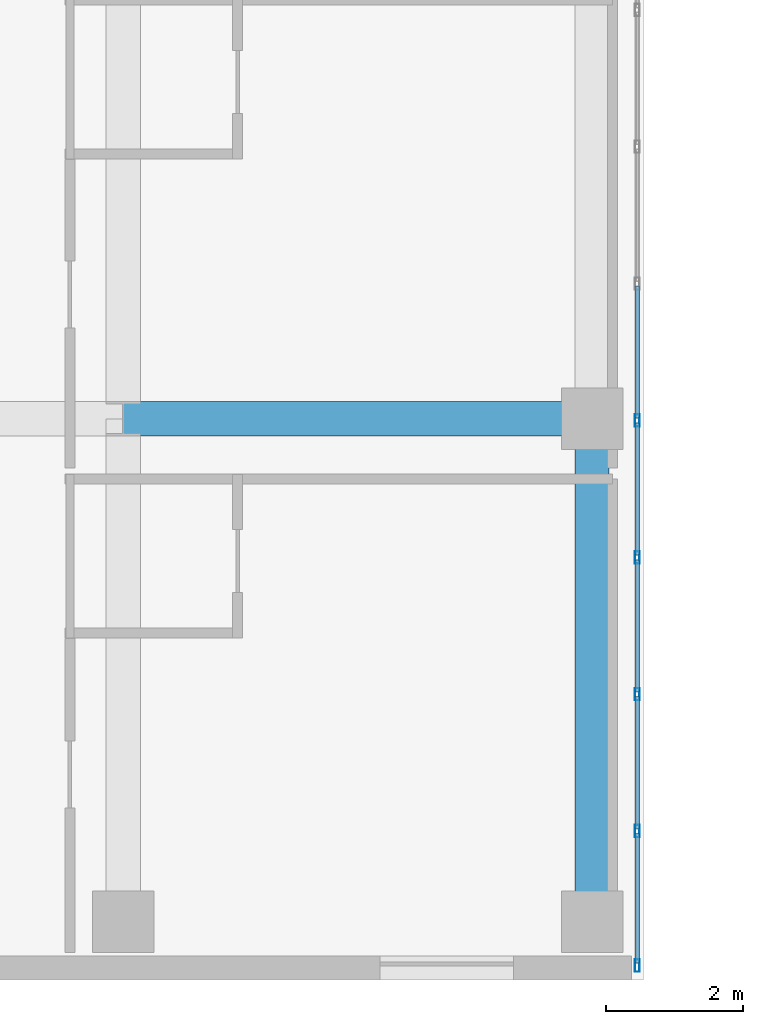
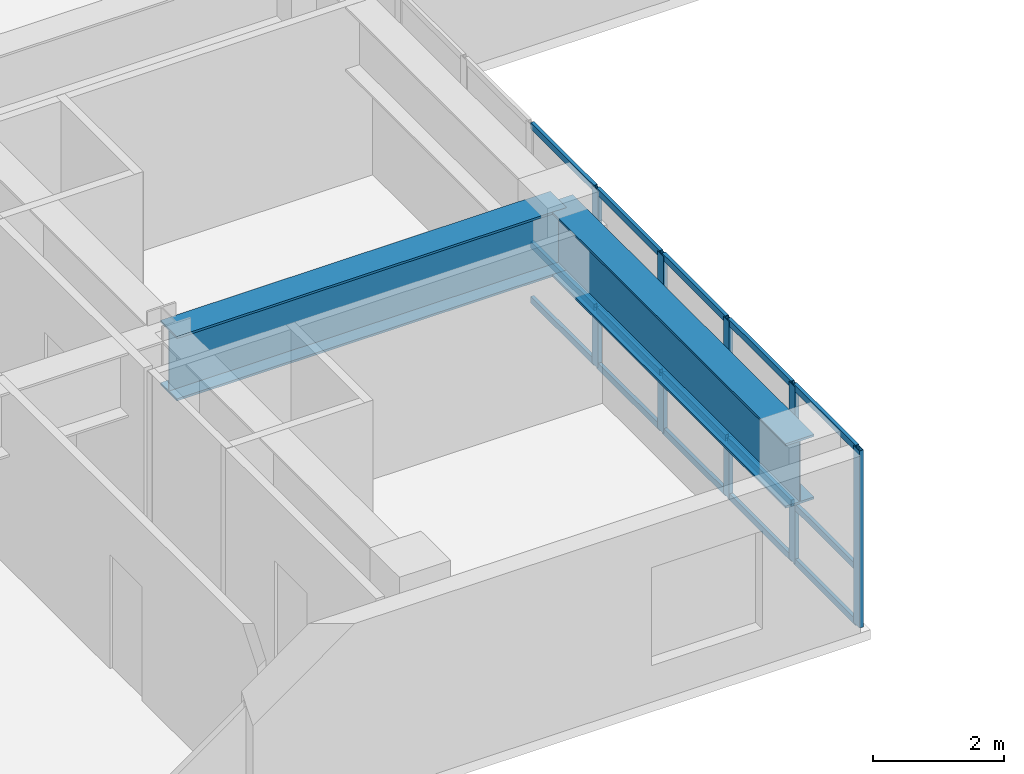
# One storey, part 2 of 15: 20 members, 2 beams, 1 element without a shape of its own.
"""IFC4 building model written with IfcOpenShell, lengths in metres."""

from ifc_helpers import new_model, si_unit, direction, frame, origin, origin_2d, place, context, subcontext, project, spatial, hollow_rectangle, i_section, extrude, source, transform, mapped, material, layer, layer_set, material_profile, profile_set, type_object, type_shapes, element, aggregate, save


model = new_model("IFC4")

# Units and contexts
model_context = context("Model", 3, precision=1e-05, world=origin(), true_north=direction((0.0, 1.0)))
body_context = subcontext(model_context, "Body", "Model", "MODEL_VIEW")
ifc_project = project(units=[si_unit("LENGTHUNIT", "METRE"), si_unit("AREAUNIT", "SQUARE_METRE"), si_unit("VOLUMEUNIT", "CUBIC_METRE"), si_unit("PLANEANGLEUNIT", "RADIAN"), si_unit("MASSUNIT", "GRAM", prefix="KILO")], contexts=[model_context])

# Site, building, storey
site_placement = place(None, origin())
site = spatial("IfcSite", under=ifc_project, at=site_placement, CompositionType="ELEMENT")
building_placement = place(site_placement, origin())
building = spatial("IfcBuilding", under=site, at=building_placement, Name="Tolvann Quenvar Hotel", CompositionType="ELEMENT")
storey_placement = place(building_placement, frame((0.0, 0.0, 143.5)))
storey = spatial("IfcBuildingStorey", under=building, at=storey_placement, Name="L37", CompositionType="ELEMENT", Elevation=143.5)

# Beams
ifc_material_1 = material(Name="Steel Grade 350", Category="steel")
ifc_material_profile_1 = material_profile(ifc_material_1, i_section(OverallWidth=0.5, OverallDepth=1.199951171875, WebThickness=0.01611328125, FlangeThickness=0.0400390625, at=origin_2d()), Name="1200WB455")
ifc_profile_set_1 = profile_set([ifc_material_profile_1], Name="Steel Grade 350")
beam_type = type_object("IfcBeamType", Name="BM_TG_1200WB455", PredefinedType="USERDEFINED", material=ifc_profile_set_1)
shared_shape_1 = source(origin(), body_context, "Body", "SweptSolid", [
    extrude(i_section(OverallWidth=0.5, OverallDepth=1.199951171875, WebThickness=0.01611328125, FlangeThickness=0.0400390625, at=origin_2d()), origin(), (0.0, 0.0, 1.0), 7.349853515625),
])
beam_1_placement = place(storey_placement, frame((22.050048828125, 0.85009765625, 2.68994140625), z_axis=(0.0, 1.0, 0.0), x_axis=(-1.0, 0.0, 0.0)))
element("IfcBeam", 1, at=beam_1_placement, inside=storey, type_object=beam_type, Name="Setback Transfer Girder L37-E2", ObjectType="TRANSFER GIRDER", PredefinedType="USERDEFINED", context=body_context, shape_type="MappedRepresentation", body=[
    mapped(shared_shape_1, transform((0.0, 0.0, 0.0), x_axis=(1.0, 0.0, 0.0), y_axis=(0.0, 1.0, 0.0), z_axis=(0.0, 0.0, 1.0), scale=1.0)),
])
shared_shape_2 = source(origin(), body_context, "Body", "SweptSolid", [
    extrude(i_section(OverallWidth=0.5, OverallDepth=1.199951171875, WebThickness=0.01611328125, FlangeThickness=0.0400390625, at=origin_2d()), origin(), (0.0, 0.0, 1.0), 6.85009765625),
])
type_shapes(beam_type, [shared_shape_1, shared_shape_2])
beam_2_placement = place(storey_placement, frame((15.199951171875, 8.199951171875, 2.68994140625), z_axis=(1.0, 0.0, 0.0), x_axis=(0.0, 1.0, 0.0)))
element("IfcBeam", 2, at=beam_2_placement, inside=storey, type_object=beam_type, Name="BM-L37-EW-3-D3-E3", ObjectType="TRANSFER GIRDER", PredefinedType="USERDEFINED", context=body_context, shape_type="MappedRepresentation", body=[
    mapped(shared_shape_2, transform((0.0, 0.0, 0.0), x_axis=(1.0, 0.0, 0.0), y_axis=(0.0, 1.0, 0.0), z_axis=(0.0, 0.0, 1.0), scale=1.0)),
])

# Curtain wall, members
ifc_material_2 = material(Name="Thermally broken anodised architectural aluminium 6063-T6 and laminated low-E glass", Category="aluminium")
ifc_layer = layer(ifc_material_2, 0.179931640625)
ifc_layer_set = layer_set([ifc_layer], Name="Thermally broken anodised architectural aluminium 6063-T6 and laminated low-E glass")
curtain_wall_type = type_object("IfcCurtainWallType", Name="CW_SYS_SLOT_03", PredefinedType="USERDEFINED", material=ifc_layer_set)
curtain_wall_placement = place(storey_placement, origin())
curtain_wall = element("IfcCurtainWall", 3, at=curtain_wall_placement, inside=storey, type_object=curtain_wall_type, Name="Curtain Wall CW-SLOT-03 (CWR-L37-E05)", ObjectType="UNITISED CURTAIN WALL", PredefinedType="USERDEFINED")
ifc_material_3 = material(Name="Anodised architectural aluminium 6063-T6 framing", Category="aluminium")
ifc_material_profile_2 = material_profile(ifc_material_3, hollow_rectangle(XDim=0.06005859375, YDim=0.1201171875, WallThickness=0.00341796875, at=origin_2d()), Name="120x60x3.5RHS")
ifc_profile_set_2 = profile_set([ifc_material_profile_2], Name="Anodised architectural aluminium 6063-T6 framing")
member_type_1 = type_object("IfcMemberType", Name="CW_TRAN_120x60", PredefinedType="USERDEFINED", material=ifc_profile_set_2)
shared_shape_3 = source(origin(), body_context, "Body", "SweptSolid", [
    extrude(hollow_rectangle(XDim=0.06005859375, YDim=0.1201171875, WallThickness=0.00341796875, at=origin_2d()), origin(), (0.0, 0.0, 1.0), 1.894775390625),
])
member_1_placement = place(storey_placement, frame((22.7099609375, 0.2451171875, 0.030029296875), z_axis=(0.0, 1.0, 0.0), x_axis=(-1.0, 0.0, 0.0)))
member_1 = element("IfcMember", 4, at=member_1_placement, type_object=member_type_1, Name="CW-SLOT-03 transom 1.1", ObjectType="TRANSOM", PredefinedType="USERDEFINED", context=body_context, shape_type="MappedRepresentation", body=[
    mapped(shared_shape_3, transform((0.0, 0.0, 0.0), x_axis=(1.0, 0.0, 0.0), y_axis=(0.0, 1.0, 0.0), z_axis=(0.0, 0.0, 1.0), scale=1.0)),
])
member_2_placement = place(storey_placement, frame((22.7099609375, 0.2451171875, 1.050048828125), z_axis=(0.0, 1.0, 0.0), x_axis=(-1.0, 0.0, 0.0)))
member_2 = element("IfcMember", 5, at=member_2_placement, type_object=member_type_1, Name="CW-SLOT-03 transom 1.2", ObjectType="TRANSOM", PredefinedType="USERDEFINED", context=body_context, shape_type="MappedRepresentation", body=[
    mapped(shared_shape_3, transform((0.0, 0.0, 0.0), x_axis=(1.0, 0.0, 0.0), y_axis=(0.0, 1.0, 0.0), z_axis=(0.0, 0.0, 1.0), scale=1.0)),
])
member_3_placement = place(storey_placement, frame((22.7099609375, 0.2451171875, 3.260009765625), z_axis=(0.0, 1.0, 0.0), x_axis=(-1.0, 0.0, 0.0)))
member_3 = element("IfcMember", 6, at=member_3_placement, type_object=member_type_1, Name="CW-SLOT-03 transom 1.3", ObjectType="TRANSOM", PredefinedType="USERDEFINED", context=body_context, shape_type="MappedRepresentation", body=[
    mapped(shared_shape_3, transform((0.0, 0.0, 0.0), x_axis=(1.0, 0.0, 0.0), y_axis=(0.0, 1.0, 0.0), z_axis=(0.0, 0.0, 1.0), scale=1.0)),
])
shared_shape_4 = source(origin(), body_context, "Body", "SweptSolid", [
    extrude(hollow_rectangle(XDim=0.06005859375, YDim=0.1201171875, WallThickness=0.00341796875, at=origin_2d()), origin(), (0.0, 0.0, 1.0), 1.929931640625),
])
type_shapes(member_type_1, [shared_shape_3, shared_shape_4])
member_4_placement = place(storey_placement, frame((22.7099609375, 2.2099609375, 0.030029296875), z_axis=(0.0, 1.0, 0.0), x_axis=(-1.0, 0.0, 0.0)))
member_4 = element("IfcMember", 7, at=member_4_placement, type_object=member_type_1, Name="CW-SLOT-03 transom 2.1", ObjectType="TRANSOM", PredefinedType="USERDEFINED", context=body_context, shape_type="MappedRepresentation", body=[
    mapped(shared_shape_4, transform((0.0, 0.0, 0.0), x_axis=(1.0, 0.0, 0.0), y_axis=(0.0, 1.0, 0.0), z_axis=(0.0, 0.0, 1.0), scale=1.0)),
])
member_5_placement = place(storey_placement, frame((22.7099609375, 2.2099609375, 1.050048828125), z_axis=(0.0, 1.0, 0.0), x_axis=(-1.0, 0.0, 0.0)))
member_5 = element("IfcMember", 8, at=member_5_placement, type_object=member_type_1, Name="CW-SLOT-03 transom 2.2", ObjectType="TRANSOM", PredefinedType="USERDEFINED", context=body_context, shape_type="MappedRepresentation", body=[
    mapped(shared_shape_4, transform((0.0, 0.0, 0.0), x_axis=(1.0, 0.0, 0.0), y_axis=(0.0, 1.0, 0.0), z_axis=(0.0, 0.0, 1.0), scale=1.0)),
])
member_6_placement = place(storey_placement, frame((22.7099609375, 2.2099609375, 3.260009765625), z_axis=(0.0, 1.0, 0.0), x_axis=(-1.0, 0.0, 0.0)))
member_6 = element("IfcMember", 9, at=member_6_placement, type_object=member_type_1, Name="CW-SLOT-03 transom 2.3", ObjectType="TRANSOM", PredefinedType="USERDEFINED", context=body_context, shape_type="MappedRepresentation", body=[
    mapped(shared_shape_4, transform((0.0, 0.0, 0.0), x_axis=(1.0, 0.0, 0.0), y_axis=(0.0, 1.0, 0.0), z_axis=(0.0, 0.0, 1.0), scale=1.0)),
])
member_7_placement = place(storey_placement, frame((22.7099609375, 4.2099609375, 0.030029296875), z_axis=(0.0, 1.0, 0.0), x_axis=(-1.0, 0.0, 0.0)))
member_7 = element("IfcMember", 10, at=member_7_placement, type_object=member_type_1, Name="CW-SLOT-03 transom 3.1", ObjectType="TRANSOM", PredefinedType="USERDEFINED", context=body_context, shape_type="MappedRepresentation", body=[
    mapped(shared_shape_4, transform((0.0, 0.0, 0.0), x_axis=(1.0, 0.0, 0.0), y_axis=(0.0, 1.0, 0.0), z_axis=(0.0, 0.0, 1.0), scale=1.0)),
])
member_8_placement = place(storey_placement, frame((22.7099609375, 4.2099609375, 1.050048828125), z_axis=(0.0, 1.0, 0.0), x_axis=(-1.0, 0.0, 0.0)))
member_8 = element("IfcMember", 11, at=member_8_placement, type_object=member_type_1, Name="CW-SLOT-03 transom 3.2", ObjectType="TRANSOM", PredefinedType="USERDEFINED", context=body_context, shape_type="MappedRepresentation", body=[
    mapped(shared_shape_4, transform((0.0, 0.0, 0.0), x_axis=(1.0, 0.0, 0.0), y_axis=(0.0, 1.0, 0.0), z_axis=(0.0, 0.0, 1.0), scale=1.0)),
])
member_9_placement = place(storey_placement, frame((22.7099609375, 4.2099609375, 3.260009765625), z_axis=(0.0, 1.0, 0.0), x_axis=(-1.0, 0.0, 0.0)))
member_9 = element("IfcMember", 12, at=member_9_placement, type_object=member_type_1, Name="CW-SLOT-03 transom 3.3", ObjectType="TRANSOM", PredefinedType="USERDEFINED", context=body_context, shape_type="MappedRepresentation", body=[
    mapped(shared_shape_4, transform((0.0, 0.0, 0.0), x_axis=(1.0, 0.0, 0.0), y_axis=(0.0, 1.0, 0.0), z_axis=(0.0, 0.0, 1.0), scale=1.0)),
])
member_10_placement = place(storey_placement, frame((22.7099609375, 6.2099609375, 0.030029296875), z_axis=(0.0, 1.0, 0.0), x_axis=(-1.0, 0.0, 0.0)))
member_10 = element("IfcMember", 13, at=member_10_placement, type_object=member_type_1, Name="CW-SLOT-03 transom 4.1", ObjectType="TRANSOM", PredefinedType="USERDEFINED", context=body_context, shape_type="MappedRepresentation", body=[
    mapped(shared_shape_4, transform((0.0, 0.0, 0.0), x_axis=(1.0, 0.0, 0.0), y_axis=(0.0, 1.0, 0.0), z_axis=(0.0, 0.0, 1.0), scale=1.0)),
])
member_11_placement = place(storey_placement, frame((22.7099609375, 6.2099609375, 1.050048828125), z_axis=(0.0, 1.0, 0.0), x_axis=(-1.0, 0.0, 0.0)))
member_11 = element("IfcMember", 14, at=member_11_placement, type_object=member_type_1, Name="CW-SLOT-03 transom 4.2", ObjectType="TRANSOM", PredefinedType="USERDEFINED", context=body_context, shape_type="MappedRepresentation", body=[
    mapped(shared_shape_4, transform((0.0, 0.0, 0.0), x_axis=(1.0, 0.0, 0.0), y_axis=(0.0, 1.0, 0.0), z_axis=(0.0, 0.0, 1.0), scale=1.0)),
])
member_12_placement = place(storey_placement, frame((22.7099609375, 6.2099609375, 3.260009765625), z_axis=(0.0, 1.0, 0.0), x_axis=(-1.0, 0.0, 0.0)))
member_12 = element("IfcMember", 15, at=member_12_placement, type_object=member_type_1, Name="CW-SLOT-03 transom 4.3", ObjectType="TRANSOM", PredefinedType="USERDEFINED", context=body_context, shape_type="MappedRepresentation", body=[
    mapped(shared_shape_4, transform((0.0, 0.0, 0.0), x_axis=(1.0, 0.0, 0.0), y_axis=(0.0, 1.0, 0.0), z_axis=(0.0, 0.0, 1.0), scale=1.0)),
])
member_13_placement = place(storey_placement, frame((22.7099609375, 8.2099609375, 0.030029296875), z_axis=(0.0, 1.0, 0.0), x_axis=(-1.0, 0.0, 0.0)))
member_13 = element("IfcMember", 16, at=member_13_placement, type_object=member_type_1, Name="CW-SLOT-03 transom 5.1", ObjectType="TRANSOM", PredefinedType="USERDEFINED", context=body_context, shape_type="MappedRepresentation", body=[
    mapped(shared_shape_4, transform((0.0, 0.0, 0.0), x_axis=(1.0, 0.0, 0.0), y_axis=(0.0, 1.0, 0.0), z_axis=(0.0, 0.0, 1.0), scale=1.0)),
])
member_14_placement = place(storey_placement, frame((22.7099609375, 8.2099609375, 1.050048828125), z_axis=(0.0, 1.0, 0.0), x_axis=(-1.0, 0.0, 0.0)))
member_14 = element("IfcMember", 17, at=member_14_placement, type_object=member_type_1, Name="CW-SLOT-03 transom 5.2", ObjectType="TRANSOM", PredefinedType="USERDEFINED", context=body_context, shape_type="MappedRepresentation", body=[
    mapped(shared_shape_4, transform((0.0, 0.0, 0.0), x_axis=(1.0, 0.0, 0.0), y_axis=(0.0, 1.0, 0.0), z_axis=(0.0, 0.0, 1.0), scale=1.0)),
])
member_15_placement = place(storey_placement, frame((22.7099609375, 8.2099609375, 3.260009765625), z_axis=(0.0, 1.0, 0.0), x_axis=(-1.0, 0.0, 0.0)))
member_15 = element("IfcMember", 18, at=member_15_placement, type_object=member_type_1, Name="CW-SLOT-03 transom 5.3", ObjectType="TRANSOM", PredefinedType="USERDEFINED", context=body_context, shape_type="MappedRepresentation", body=[
    mapped(shared_shape_4, transform((0.0, 0.0, 0.0), x_axis=(1.0, 0.0, 0.0), y_axis=(0.0, 1.0, 0.0), z_axis=(0.0, 0.0, 1.0), scale=1.0)),
])
ifc_material_profile_3 = material_profile(ifc_material_3, hollow_rectangle(XDim=0.070068359375, YDim=0.179931640625, WallThickness=0.00390625, at=origin_2d()), Name="180x70x4RHS")
ifc_profile_set_3 = profile_set([ifc_material_profile_3], Name="Anodised architectural aluminium 6063-T6 framing")
member_type_2 = type_object("IfcMemberType", Name="CW_MULL_180x70", PredefinedType="MULLION", material=ifc_profile_set_3)
shared_shape_5 = source(origin(), body_context, "Body", "SweptSolid", [
    extrude(hollow_rectangle(XDim=0.070068359375, YDim=0.179931640625, WallThickness=0.00390625, at=origin_2d()), origin(), (0.0, 0.0, 1.0), 3.2900390625),
])
type_shapes(member_type_2, [shared_shape_5])
member_16_placement = place(storey_placement, frame((22.7099609375, 0.2099609375, 0.0), z_axis=(0.0, 0.0, 1.0), x_axis=(-1.0, 0.0, 0.0)))
member_16 = element("IfcMember", 19, at=member_16_placement, type_object=member_type_2, Name="CW-SLOT-03 mullion 1", PredefinedType="MULLION", context=body_context, shape_type="MappedRepresentation", body=[
    mapped(shared_shape_5, transform((0.0, 0.0, 0.0), x_axis=(1.0, 0.0, 0.0), y_axis=(0.0, 1.0, 0.0), z_axis=(0.0, 0.0, 1.0), scale=1.0)),
])
member_17_placement = place(storey_placement, frame((22.7099609375, 2.175048828125, 0.0), z_axis=(0.0, 0.0, 1.0), x_axis=(-1.0, 0.0, 0.0)))
member_17 = element("IfcMember", 20, at=member_17_placement, type_object=member_type_2, Name="CW-SLOT-03 mullion 2", PredefinedType="MULLION", context=body_context, shape_type="MappedRepresentation", body=[
    mapped(shared_shape_5, transform((0.0, 0.0, 0.0), x_axis=(1.0, 0.0, 0.0), y_axis=(0.0, 1.0, 0.0), z_axis=(0.0, 0.0, 1.0), scale=1.0)),
])
member_18_placement = place(storey_placement, frame((22.7099609375, 4.175048828125, 0.0), z_axis=(0.0, 0.0, 1.0), x_axis=(-1.0, 0.0, 0.0)))
member_18 = element("IfcMember", 21, at=member_18_placement, type_object=member_type_2, Name="CW-SLOT-03 mullion 3", PredefinedType="MULLION", context=body_context, shape_type="MappedRepresentation", body=[
    mapped(shared_shape_5, transform((0.0, 0.0, 0.0), x_axis=(1.0, 0.0, 0.0), y_axis=(0.0, 1.0, 0.0), z_axis=(0.0, 0.0, 1.0), scale=1.0)),
])
member_19_placement = place(storey_placement, frame((22.7099609375, 6.175048828125, 0.0), z_axis=(0.0, 0.0, 1.0), x_axis=(-1.0, 0.0, 0.0)))
member_19 = element("IfcMember", 22, at=member_19_placement, type_object=member_type_2, Name="CW-SLOT-03 mullion 4", PredefinedType="MULLION", context=body_context, shape_type="MappedRepresentation", body=[
    mapped(shared_shape_5, transform((0.0, 0.0, 0.0), x_axis=(1.0, 0.0, 0.0), y_axis=(0.0, 1.0, 0.0), z_axis=(0.0, 0.0, 1.0), scale=1.0)),
])
member_20_placement = place(storey_placement, frame((22.7099609375, 8.175048828125, 0.0), z_axis=(0.0, 0.0, 1.0), x_axis=(-1.0, 0.0, 0.0)))
member_20 = element("IfcMember", 23, at=member_20_placement, type_object=member_type_2, Name="CW-SLOT-03 mullion 5", PredefinedType="MULLION", context=body_context, shape_type="MappedRepresentation", body=[
    mapped(shared_shape_5, transform((0.0, 0.0, 0.0), x_axis=(1.0, 0.0, 0.0), y_axis=(0.0, 1.0, 0.0), z_axis=(0.0, 0.0, 1.0), scale=1.0)),
])
aggregate(curtain_wall, [member_16, member_17, member_18, member_19, member_20, member_1, member_2, member_3, member_4, member_5, member_6, member_7, member_8, member_9, member_10, member_11, member_12, member_13, member_14, member_15])

save(model, "model.ifc")
